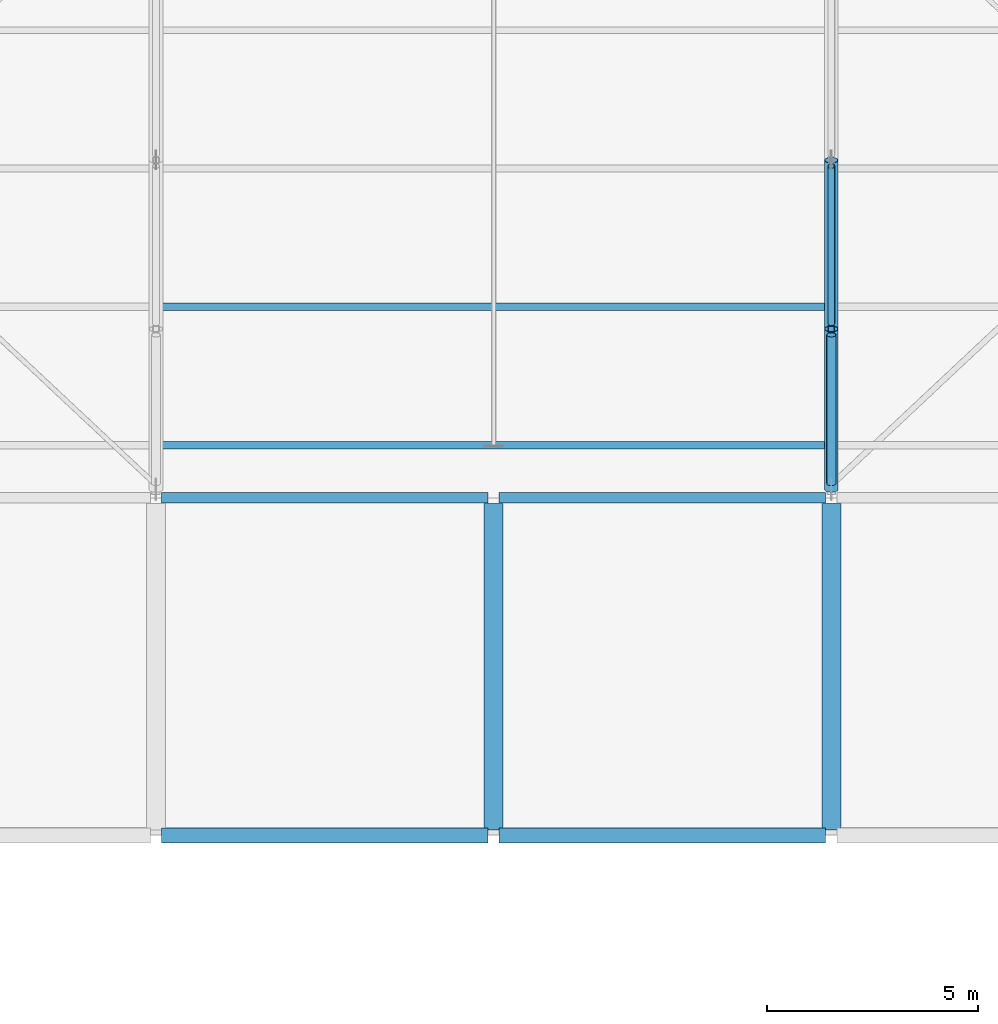
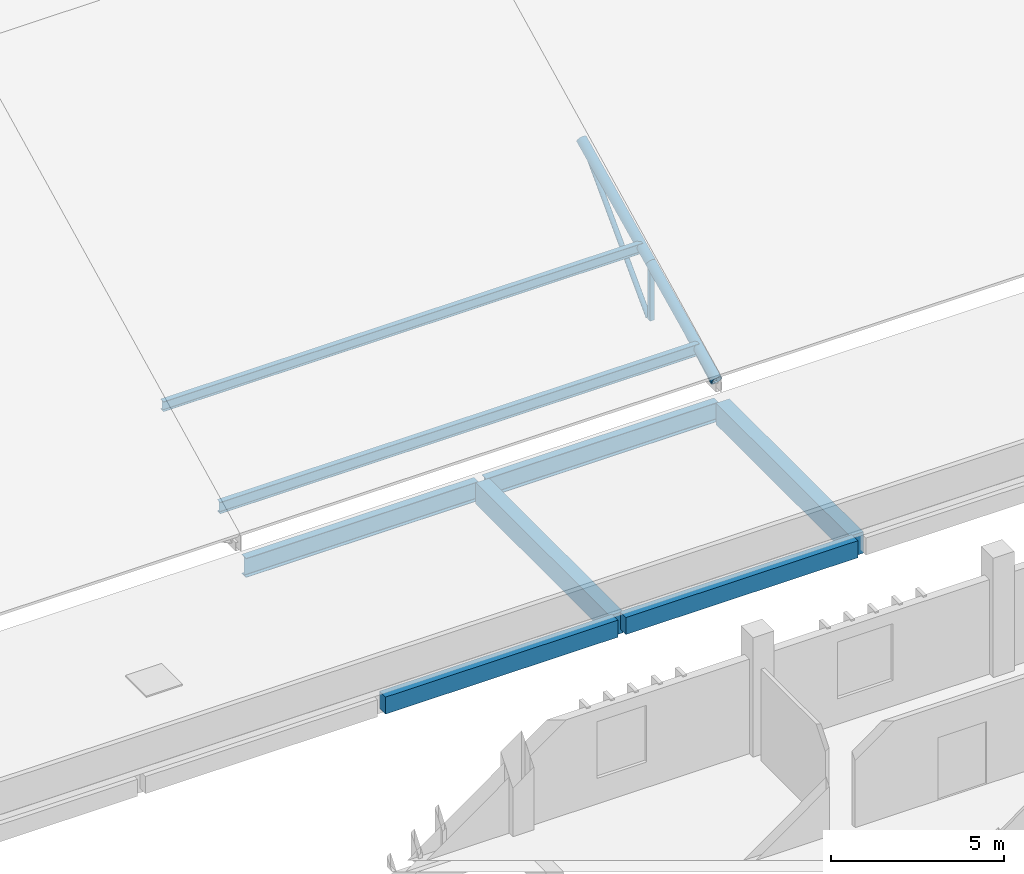
# One storey, part 72 of 137: 8 beams, 5 members.
"""IFC4 building model written with IfcOpenShell, lengths in metres."""

from ifc_helpers import new_model, si_unit, direction, frame, origin, origin_2d, place, context, subcontext, project, spatial, rectangle, hollow_rectangle, hollow_circle, i_section, extrude, material, material_profile, profile_set, type_object, element, save


model = new_model("IFC4")

# Units and contexts
model_context = context("Model", 3, precision=1e-05, world=origin(), true_north=direction((0.0, 1.0)))
body_context = subcontext(model_context, "Body", "Model", "MODEL_VIEW")
ifc_project = project(units=[si_unit("LENGTHUNIT", "METRE"), si_unit("AREAUNIT", "SQUARE_METRE"), si_unit("VOLUMEUNIT", "CUBIC_METRE"), si_unit("PLANEANGLEUNIT", "RADIAN"), si_unit("MASSUNIT", "GRAM", prefix="KILO")], contexts=[model_context])

# Site, building, storey
site_placement = place(None, origin())
site = spatial("IfcSite", under=ifc_project, at=site_placement, CompositionType="ELEMENT")
building_placement = place(site_placement, origin())
building = spatial("IfcBuilding", under=site, at=building_placement, Name="Jelvoka-Kovrelna Polytechnic", CompositionType="ELEMENT")
storey_placement = place(building_placement, frame((0.0, 0.0, 9.60009765625)))
storey = spatial("IfcBuildingStorey", under=building, at=storey_placement, Name="L03", CompositionType="ELEMENT", Elevation=9.60009765625)

# Beams
ifc_material_1 = material(Name="Concrete C40/50", Category="concrete")
ifc_material_profile_1 = material_profile(ifc_material_1, rectangle(XDim=0.449951171875, YDim=0.75, at=origin_2d()), Name="RC 450x750")
ifc_profile_set_1 = profile_set([ifc_material_profile_1], Name="Concrete C40/50")
beam_type_1 = type_object("IfcBeamType", Name="Beam_RC_450x750", PredefinedType="BEAM", material=ifc_profile_set_1)
for number, where, z_axis, x_axis, name in (
    (1, (176.0, 80.1337890625, -0.585205078125), (0.0, 1.0, 0.0), (-1.0, 0.0, 0.0), "L03 beam 2097"),
    (2, (184.0, 80.1337890625, -0.585205078125), (0.0, 1.0, 0.0), (-1.0, 0.0, 0.0), "L03 beam 2098"),
):
    element("IfcBeam", number, at=place(storey_placement, frame(where, z_axis=z_axis, x_axis=x_axis)), inside=storey, type_object=beam_type_1, Name=name, PredefinedType="BEAM", context=body_context, shape_type="SweptSolid", body=[
        extrude(rectangle(XDim=0.449951171875, YDim=0.75, at=origin_2d()), origin(), (0.0, 0.0, 1.0), 7.732421875),
    ])
ifc_material_2 = material(Name="Structural steel S355JR", Category="steel")
ifc_material_profile_2 = material_profile(ifc_material_2, i_section(OverallWidth=0.2529296875, OverallDepth=0.677978515625, WebThickness=0.01171875, FlangeThickness=0.01611328125, FilletRadius=0.01513671875, at=origin_2d()), Name="686x254x125 UB")
ifc_profile_set_2 = profile_set([ifc_material_profile_2], Name="Structural steel S355JR")
beam_type_2 = type_object("IfcBeamType", Name="Girder_Steel_UB686", PredefinedType="BEAM", material=ifc_profile_set_2)
for number, where, z_axis, x_axis, name in (
    (3, (168.1328125, 88.0, -0.549072265625), (1.0, 0.0, 0.0), (0.0, 1.0, 0.0), "L03 beam 0109"),
    (4, (176.1328125, 88.0, -0.549072265625), (1.0, 0.0, 0.0), (0.0, 1.0, 0.0), "L03 beam 0111"),
):
    element("IfcBeam", number, at=place(storey_placement, frame(where, z_axis=z_axis, x_axis=x_axis)), inside=storey, type_object=beam_type_2, Name=name, PredefinedType="BEAM", context=body_context, shape_type="SweptSolid", body=[
        extrude(i_section(OverallWidth=0.2529296875, OverallDepth=0.677978515625, WebThickness=0.01171875, FlangeThickness=0.01611328125, FilletRadius=0.01513671875, at=origin_2d()), origin(), (0.0, 0.0, 1.0), 7.734375),
    ])

# Members
ifc_material_3 = material(Name="Structural steel S355J2H", Category="steel")
ifc_material_profile_3 = material_profile(ifc_material_3, hollow_circle(Radius=0.084228515625, WallThickness=0.008056640625, at=origin_2d()), Name="168.3x8.0 CHS")
ifc_profile_set_3 = profile_set([ifc_material_profile_3], Name="Structural steel S355J2H")
member_type_1 = type_object("IfcMemberType", Name="Member_Brace_CHS168", PredefinedType="BRACE", material=ifc_profile_set_3)
member_1_placement = place(storey_placement, frame((184.0, 92.139892578125, 0.14990234375), z_axis=(0.0, 0.69521468222, 0.718802160282), x_axis=(-1.0, 0.0, 0.0)))
element("IfcMember", 5, at=member_1_placement, inside=storey, type_object=member_type_1, Name="Sawtooth truss 7 diagonal web 1.2", PredefinedType="BRACE", context=body_context, shape_type="SweptSolid", body=[
    extrude(hollow_circle(Radius=0.084228515625, WallThickness=0.008056640625, at=origin_2d()), origin(), (0.0, 0.0, 1.0), 5.35107421875),
])
ifc_material_4 = material(Name="Structural steel S355J2H", Category="steel")
ifc_material_profile_4 = material_profile(ifc_material_4, hollow_circle(Radius=0.109619140625, WallThickness=0.008056640625, at=origin_2d()), Name="219.1x8.0 CHS")
ifc_profile_set_4 = profile_set([ifc_material_profile_4], Name="Structural steel S355J2H")
member_type_2 = type_object("IfcMemberType", Name="Member_Brace_CHS219", PredefinedType="BRACE", material=ifc_profile_set_4)
member_2_placement = place(storey_placement, frame((184.0, 88.340087890625, 0.14990234375), z_axis=(0.0, 0.878084029324, 0.478506465418), x_axis=(-1.0, 0.0, 0.0)))
element("IfcMember", 6, at=member_2_placement, inside=storey, type_object=member_type_2, Name="Sawtooth truss 7 diagonal web 1.1", PredefinedType="BRACE", context=body_context, shape_type="SweptSolid", body=[
    extrude(hollow_circle(Radius=0.109619140625, WallThickness=0.008056640625, at=origin_2d()), origin(), (0.0, 0.0, 1.0), 4.0087890625),
])
ifc_material_5 = material(Name="Structural steel S355J2H", Category="steel")
ifc_material_profile_5 = material_profile(ifc_material_5, hollow_circle(Radius=0.161865234375, WallThickness=0.010009765625, at=origin_2d()), Name="323.9x10.0 CHS")
ifc_profile_set_5 = profile_set([ifc_material_profile_5], Name="Structural steel S355J2H")
member_type_3 = type_object("IfcMemberType", Name="Member_Chord_CHS324", PredefinedType="CHORD", material=ifc_profile_set_5)
member_3_placement = place(storey_placement, frame((184.0, 88.199951171875, 0.31640625), z_axis=(0.0, 0.900803851837, 0.434226231952), x_axis=(-1.0, 0.0, 0.0)))
element("IfcMember", 7, at=member_3_placement, inside=storey, type_object=member_type_3, Name="Sawtooth truss 7 top chord 1.1", PredefinedType="CHORD", context=body_context, shape_type="SweptSolid", body=[
    extrude(hollow_circle(Radius=0.161865234375, WallThickness=0.010009765625, at=origin_2d()), origin(), (0.0, 0.0, 1.0), 4.218505859375),
])
member_4_placement = place(storey_placement, frame((184.0, 92.0, 2.148193359375), z_axis=(0.0, 0.900799405566, 0.434235455637), x_axis=(-1.0, 0.0, 0.0)))
element("IfcMember", 8, at=member_4_placement, inside=storey, type_object=member_type_3, Name="Sawtooth truss 7 top chord 1.2", PredefinedType="CHORD", context=body_context, shape_type="SweptSolid", body=[
    extrude(hollow_circle(Radius=0.161865234375, WallThickness=0.010009765625, at=origin_2d()), origin(), (0.0, 0.0, 1.0), 4.4404296875),
])
ifc_material_6 = material(Name="Structural steel S355J2H", Category="steel")
ifc_material_profile_6 = material_profile(ifc_material_6, hollow_rectangle(XDim=0.14990234375, YDim=0.14990234375, WallThickness=0.008056640625, InnerFilletRadius=0.008056640625, OuterFilletRadius=0.011962890625, at=origin_2d()), Name="150x150x8.0 SHS")
ifc_profile_set_6 = profile_set([ifc_material_profile_6], Name="Structural steel S355J2H")
member_type_4 = type_object("IfcMemberType", Name="Member_Post_SHS150", PredefinedType="POST", material=ifc_profile_set_6)
member_5_placement = place(storey_placement, frame((184.0, 92.0, 0.14990234375), z_axis=(0.0, 0.0, 1.0), x_axis=(1.0, 0.0, 0.0)))
element("IfcMember", 9, at=member_5_placement, inside=storey, type_object=member_type_4, Name="Sawtooth truss 7 web post 1.2", PredefinedType="POST", context=body_context, shape_type="SweptSolid", body=[
    extrude(hollow_rectangle(XDim=0.14990234375, YDim=0.14990234375, WallThickness=0.008056640625, InnerFilletRadius=0.008056640625, OuterFilletRadius=0.011962890625, at=origin_2d()), origin(), (0.0, 0.0, 1.0), 1.998291015625),
])

# Beams
ifc_material_7 = material(Name="Structural steel S355JR", Category="steel")
ifc_material_profile_7 = material_profile(ifc_material_7, i_section(OverallWidth=0.17138671875, OverallDepth=0.35498046875, WebThickness=0.00732421875, FlangeThickness=0.011474609375, FilletRadius=0.01025390625, at=origin_2d()), Name="356x171x51 UB")
ifc_profile_set_7 = profile_set([ifc_material_profile_7], Name="Structural steel S355JR")
beam_type_3 = type_object("IfcBeamType", Name="Purlin_Steel_UB356", PredefinedType="JOIST", material=ifc_profile_set_7)
beam_1_placement = place(storey_placement, frame((168.02001953125, 92.52392578125, 2.400634765625), z_axis=(1.0, 0.0, 0.0), x_axis=(0.0, 1.0, 0.0)))
element("IfcBeam", 10, at=beam_1_placement, inside=storey, type_object=beam_type_3, Name="Sawtooth roof purlin 052", PredefinedType="JOIST", context=body_context, shape_type="SweptSolid", body=[
    extrude(i_section(OverallWidth=0.17138671875, OverallDepth=0.35498046875, WebThickness=0.00732421875, FlangeThickness=0.011474609375, FilletRadius=0.01025390625, at=origin_2d()), origin(), (0.0, 0.0, 1.0), 15.9599609375),
])
ifc_material_8 = material(Name="Structural steel S355JR", Category="steel")
ifc_material_profile_8 = material_profile(ifc_material_8, i_section(OverallWidth=0.177978515625, OverallDepth=0.406494140625, WebThickness=0.0078125, FlangeThickness=0.0126953125, FilletRadius=0.01025390625, at=origin_2d()), Name="406x178x60 UB")
ifc_profile_set_8 = profile_set([ifc_material_profile_8], Name="Structural steel S355JR")
beam_type_4 = type_object("IfcBeamType", Name="Purlin_Steel_UB406", PredefinedType="JOIST", material=ifc_profile_set_8)
beam_2_placement = place(storey_placement, frame((168.02001953125, 89.248046875, 0.821533203125), z_axis=(1.0, 0.0, 0.0), x_axis=(0.0, 1.0, 0.0)))
element("IfcBeam", 11, at=beam_2_placement, inside=storey, type_object=beam_type_4, Name="Sawtooth roof purlin 051", PredefinedType="JOIST", context=body_context, shape_type="SweptSolid", body=[
    extrude(i_section(OverallWidth=0.177978515625, OverallDepth=0.406494140625, WebThickness=0.0078125, FlangeThickness=0.0126953125, FilletRadius=0.01025390625, at=origin_2d()), origin(), (0.0, 0.0, 1.0), 15.9599609375),
])
ifc_material_9 = material(Name="Concrete C40/50", Category="concrete")
ifc_material_profile_9 = material_profile(ifc_material_9, rectangle(XDim=0.35009765625, YDim=0.60009765625, at=origin_2d()), Name="RC 350x600")
ifc_profile_set_9 = profile_set([ifc_material_profile_9], Name="Concrete C40/50")
beam_type_5 = type_object("IfcBeamType", Name="Spandrel_RC_350x600", PredefinedType="SPANDREL", material=ifc_profile_set_9)
for number, where, z_axis, x_axis, name in (
    (12, (168.1328125, 80.0, -0.510009765625), (1.0, 0.0, 0.0), (0.0, 1.0, 0.0), "L03 beam 2082"),
    (13, (176.1328125, 80.0, -0.510009765625), (1.0, 0.0, 0.0), (0.0, 1.0, 0.0), "L03 beam 2083"),
):
    element("IfcBeam", number, at=place(storey_placement, frame(where, z_axis=z_axis, x_axis=x_axis)), inside=storey, type_object=beam_type_5, Name=name, PredefinedType="SPANDREL", context=body_context, shape_type="SweptSolid", body=[
        extrude(rectangle(XDim=0.35009765625, YDim=0.60009765625, at=origin_2d()), origin(), (0.0, 0.0, 1.0), 7.734375),
    ])

save(model, "model.ifc")
